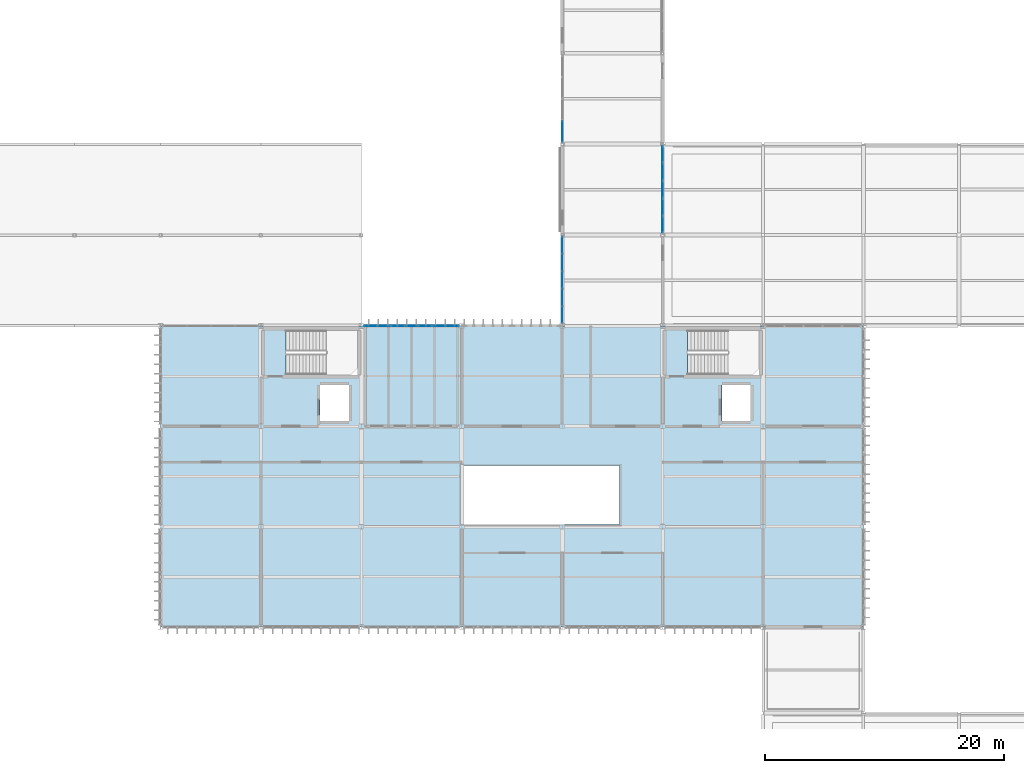
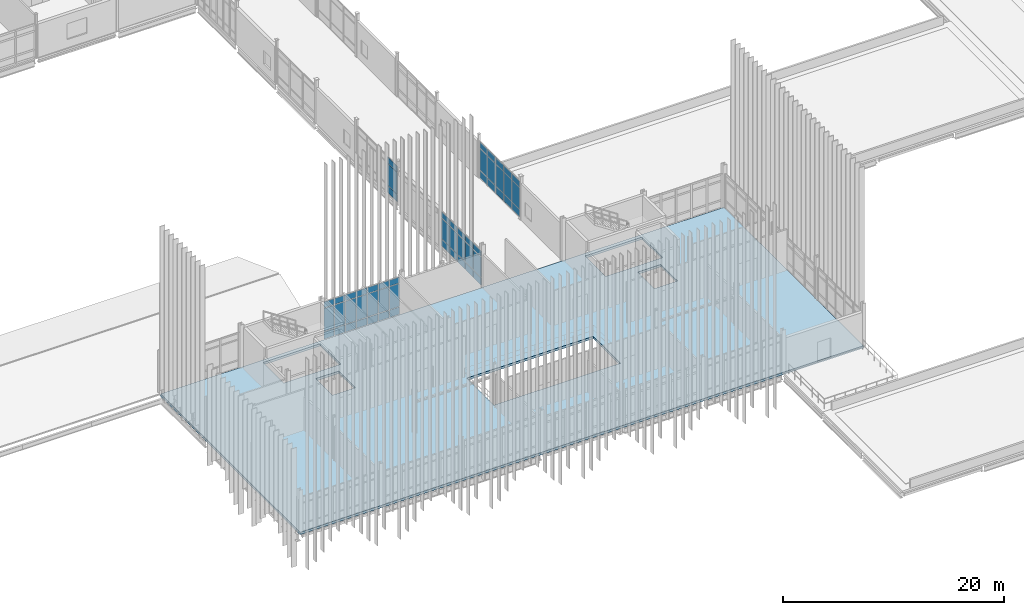
# One storey, part 98 of 153: 54 plates, 1 slab, 4 elements without a shape of their own.
"""IFC4 building model written with IfcOpenShell, lengths in metres."""

from ifc_helpers import new_model, si_unit, direction, frame, origin, origin_2d, place, context, subcontext, project, spatial, polyline, rectangle, outline, extrude, material, layer, layer_set, type_object, element, aggregate, save


model = new_model("IFC4")

# Units and contexts
model_context = context("Model", 3, precision=1e-05, world=origin(), true_north=direction((0.0, 1.0)))
body_context = subcontext(model_context, "Body", "Model", "MODEL_VIEW")
ifc_project = project(units=[si_unit("LENGTHUNIT", "METRE"), si_unit("AREAUNIT", "SQUARE_METRE"), si_unit("VOLUMEUNIT", "CUBIC_METRE"), si_unit("PLANEANGLEUNIT", "RADIAN"), si_unit("MASSUNIT", "GRAM", prefix="KILO")], contexts=[model_context])

# Site, building, storey
site_placement = place(None, origin())
site = spatial("IfcSite", under=ifc_project, at=site_placement, CompositionType="ELEMENT")
building_placement = place(site_placement, origin())
building = spatial("IfcBuilding", under=site, at=building_placement, Name="Calvrana Isthmian Art Gallery", CompositionType="ELEMENT")
storey_placement = place(building_placement, frame((0.0, 0.0, 10.199951171875)))
storey = spatial("IfcBuildingStorey", under=building, at=storey_placement, Name="L02", CompositionType="ELEMENT", Elevation=10.199951171875)

# Curtain wall, plates
ifc_material_1 = material(Name="Anodized bronze aluminium 6063-T6", Category="aluminium")
ifc_layer_1 = layer(ifc_material_1, 0.179931640625, Name="Anodized bronze aluminium 6063-T6")
ifc_layer_set_1 = layer_set([ifc_layer_1], Name="Anodized bronze aluminium 6063-T6")
curtain_wall_type_1 = type_object("IfcCurtainWallType", Name="CW-UNIT-073X41", PredefinedType="USERDEFINED", material=ifc_layer_set_1)
curtain_wall_1_placement = place(storey_placement, origin())
curtain_wall_1 = element("IfcCurtainWall", 1, at=curtain_wall_1_placement, inside=storey, type_object=curtain_wall_type_1, Name="Curtain wall CW-170", ObjectType="UNITISED CURTAIN WALL", PredefinedType="USERDEFINED")
ifc_material_2 = material(Name="Polychrome glazed terracotta", Category="masonry")
ifc_layer_2 = layer(ifc_material_2, 0.033935546875, Name="Polychrome glazed terracotta")
ifc_layer_set_2 = layer_set([ifc_layer_2], Name="Polychrome glazed terracotta")
plate_type_1 = type_object("IfcPlateType", Name="CWP-SPANDREL-34", PredefinedType="CURTAIN_PANEL", material=ifc_layer_set_2)
plate_1_placement = place(storey_placement, frame((55.199951171875, 63.058349609375, 0.06005859375), z_axis=(0.0, 0.0, 1.0), x_axis=(0.0, 1.0, 0.0)))
plate_1 = element("IfcPlate", 2, at=plate_1_placement, type_object=plate_type_1, Name="CW-170 panel 1.1", PredefinedType="CURTAIN_PANEL", context=body_context, shape_type="SweptSolid", body=[
    extrude(rectangle(XDim=1.732666015625, YDim=0.033935546875, at=origin_2d()), origin(), (0.0, 0.0, 1.0), 0.81005859375),
])
plate_2_placement = place(storey_placement, frame((55.199951171875, 63.058349609375, 0.93017578125), z_axis=(0.0, 0.0, 1.0), x_axis=(0.0, 1.0, 0.0)))
plate_2 = element("IfcPlate", 3, at=plate_2_placement, type_object=plate_type_1, Name="CW-170 panel 1.2", PredefinedType="CURTAIN_PANEL", context=body_context, shape_type="SweptSolid", body=[
    extrude(rectangle(XDim=1.732666015625, YDim=0.033935546875, at=origin_2d()), origin(), (0.0, 0.0, 1.0), 2.367919921875),
])
plate_3_placement = place(storey_placement, frame((55.199951171875, 63.058349609375, 3.35791015625), z_axis=(0.0, 0.0, 1.0), x_axis=(0.0, 1.0, 0.0)))
plate_3 = element("IfcPlate", 4, at=plate_3_placement, type_object=plate_type_1, Name="CW-170 panel 1.3", PredefinedType="CURTAIN_PANEL", context=body_context, shape_type="SweptSolid", body=[
    extrude(rectangle(XDim=1.732666015625, YDim=0.033935546875, at=origin_2d()), origin(), (0.0, 0.0, 1.0), 0.659912109375),
])
aggregate(curtain_wall_1, [plate_1, plate_2, plate_3])

ifc_layer_3 = layer(ifc_material_1, 0.179931640625, Name="Anodized bronze aluminium 6063-T6")
ifc_layer_set_3 = layer_set([ifc_layer_3], Name="Anodized bronze aluminium 6063-T6")
curtain_wall_type_2 = type_object("IfcCurtainWallType", Name="CW-UNIT-080X42", PredefinedType="USERDEFINED", material=ifc_layer_set_3)
curtain_wall_2_placement = place(storey_placement, origin())
curtain_wall_2 = element("IfcCurtainWall", 5, at=curtain_wall_2_placement, inside=storey, type_object=curtain_wall_type_2, Name="Curtain wall CW-152", ObjectType="UNITISED CURTAIN WALL", PredefinedType="USERDEFINED")
ifc_material_3 = material(Name="Low-E laminated solar glass", Category="glass")
ifc_layer_4 = layer(ifc_material_3, 0.028076171875, Name="Low-E laminated solar glass")
ifc_layer_set_4 = layer_set([ifc_layer_4], Name="Low-E laminated solar glass")
plate_type_2 = type_object("IfcPlateType", Name="CWP-VISION-28", PredefinedType="CURTAIN_PANEL", material=ifc_layer_set_4)
plate_4_placement = place(storey_placement, frame((39.17529296875, 46.800048828125, 0.06494140625), z_axis=(0.0, 0.0, 1.0), x_axis=(1.0, 0.0, 0.0)))
plate_4 = element("IfcPlate", 6, at=plate_4_placement, type_object=plate_type_2, Name="CW-152 panel 1.1", PredefinedType="CURTAIN_PANEL", context=body_context, shape_type="SweptSolid", body=[
    extrude(rectangle(XDim=1.04736328125, YDim=0.028076171875, at=origin_2d()), origin(), (0.0, 0.0, 1.0), 0.802490234375),
])
plate_5_placement = place(storey_placement, frame((39.17529296875, 46.800048828125, 0.9326171875), z_axis=(0.0, 0.0, 1.0), x_axis=(1.0, 0.0, 0.0)))
plate_5 = element("IfcPlate", 7, at=plate_5_placement, type_object=plate_type_2, Name="CW-152 panel 1.2", PredefinedType="CURTAIN_PANEL", context=body_context, shape_type="SweptSolid", body=[
    extrude(rectangle(XDim=1.04736328125, YDim=0.028076171875, at=origin_2d()), origin(), (0.0, 0.0, 1.0), 2.520263671875),
])
plate_6_placement = place(storey_placement, frame((39.17529296875, 46.800048828125, 3.517578125), z_axis=(0.0, 0.0, 1.0), x_axis=(1.0, 0.0, 0.0)))
plate_6 = element("IfcPlate", 8, at=plate_6_placement, type_object=plate_type_2, Name="CW-152 panel 1.3", PredefinedType="CURTAIN_PANEL", context=body_context, shape_type="SweptSolid", body=[
    extrude(rectangle(XDim=1.04736328125, YDim=0.028076171875, at=origin_2d()), origin(), (0.0, 0.0, 1.0), 0.652587890625),
])
plate_7_placement = place(storey_placement, frame((40.3037109375, 46.800048828125, 0.06494140625), z_axis=(0.0, 0.0, 1.0), x_axis=(1.0, 0.0, 0.0)))
plate_7 = element("IfcPlate", 9, at=plate_7_placement, type_object=plate_type_2, Name="CW-152 panel 2.1", PredefinedType="CURTAIN_PANEL", context=body_context, shape_type="SweptSolid", body=[
    extrude(rectangle(XDim=1.079833984375, YDim=0.028076171875, at=origin_2d()), origin(), (0.0, 0.0, 1.0), 0.802490234375),
])
plate_8_placement = place(storey_placement, frame((40.3037109375, 46.800048828125, 0.9326171875), z_axis=(0.0, 0.0, 1.0), x_axis=(1.0, 0.0, 0.0)))
plate_8 = element("IfcPlate", 10, at=plate_8_placement, type_object=plate_type_2, Name="CW-152 panel 2.2", PredefinedType="CURTAIN_PANEL", context=body_context, shape_type="SweptSolid", body=[
    extrude(rectangle(XDim=1.079833984375, YDim=0.028076171875, at=origin_2d()), origin(), (0.0, 0.0, 1.0), 2.520263671875),
])
plate_9_placement = place(storey_placement, frame((40.3037109375, 46.800048828125, 3.517578125), z_axis=(0.0, 0.0, 1.0), x_axis=(1.0, 0.0, 0.0)))
plate_9 = element("IfcPlate", 11, at=plate_9_placement, type_object=plate_type_2, Name="CW-152 panel 2.3", PredefinedType="CURTAIN_PANEL", context=body_context, shape_type="SweptSolid", body=[
    extrude(rectangle(XDim=1.079833984375, YDim=0.028076171875, at=origin_2d()), origin(), (0.0, 0.0, 1.0), 0.652587890625),
])
plate_10_placement = place(storey_placement, frame((41.44873046875, 46.800048828125, 0.06494140625), z_axis=(0.0, 0.0, 1.0), x_axis=(1.0, 0.0, 0.0)))
plate_10 = element("IfcPlate", 12, at=plate_10_placement, type_object=plate_type_2, Name="CW-152 panel 3.1", PredefinedType="CURTAIN_PANEL", context=body_context, shape_type="SweptSolid", body=[
    extrude(rectangle(XDim=1.079833984375, YDim=0.028076171875, at=origin_2d()), origin(), (0.0, 0.0, 1.0), 0.802490234375),
])
plate_11_placement = place(storey_placement, frame((41.44873046875, 46.800048828125, 0.9326171875), z_axis=(0.0, 0.0, 1.0), x_axis=(1.0, 0.0, 0.0)))
plate_11 = element("IfcPlate", 13, at=plate_11_placement, type_object=plate_type_2, Name="CW-152 panel 3.2", PredefinedType="CURTAIN_PANEL", context=body_context, shape_type="SweptSolid", body=[
    extrude(rectangle(XDim=1.079833984375, YDim=0.028076171875, at=origin_2d()), origin(), (0.0, 0.0, 1.0), 2.520263671875),
])
plate_12_placement = place(storey_placement, frame((41.44873046875, 46.800048828125, 3.517578125), z_axis=(0.0, 0.0, 1.0), x_axis=(1.0, 0.0, 0.0)))
plate_12 = element("IfcPlate", 14, at=plate_12_placement, type_object=plate_type_2, Name="CW-152 panel 3.3", PredefinedType="CURTAIN_PANEL", context=body_context, shape_type="SweptSolid", body=[
    extrude(rectangle(XDim=1.079833984375, YDim=0.028076171875, at=origin_2d()), origin(), (0.0, 0.0, 1.0), 0.652587890625),
])
plate_13_placement = place(storey_placement, frame((42.593505859375, 46.800048828125, 0.06494140625), z_axis=(0.0, 0.0, 1.0), x_axis=(1.0, 0.0, 0.0)))
plate_13 = element("IfcPlate", 15, at=plate_13_placement, type_object=plate_type_2, Name="CW-152 panel 4.1", PredefinedType="CURTAIN_PANEL", context=body_context, shape_type="SweptSolid", body=[
    extrude(rectangle(XDim=1.079833984375, YDim=0.028076171875, at=origin_2d()), origin(), (0.0, 0.0, 1.0), 0.802490234375),
])
plate_14_placement = place(storey_placement, frame((42.593505859375, 46.800048828125, 0.9326171875), z_axis=(0.0, 0.0, 1.0), x_axis=(1.0, 0.0, 0.0)))
plate_14 = element("IfcPlate", 16, at=plate_14_placement, type_object=plate_type_2, Name="CW-152 panel 4.2", PredefinedType="CURTAIN_PANEL", context=body_context, shape_type="SweptSolid", body=[
    extrude(rectangle(XDim=1.079833984375, YDim=0.028076171875, at=origin_2d()), origin(), (0.0, 0.0, 1.0), 2.520263671875),
])
plate_15_placement = place(storey_placement, frame((42.593505859375, 46.800048828125, 3.517578125), z_axis=(0.0, 0.0, 1.0), x_axis=(1.0, 0.0, 0.0)))
plate_15 = element("IfcPlate", 17, at=plate_15_placement, type_object=plate_type_2, Name="CW-152 panel 4.3", PredefinedType="CURTAIN_PANEL", context=body_context, shape_type="SweptSolid", body=[
    extrude(rectangle(XDim=1.079833984375, YDim=0.028076171875, at=origin_2d()), origin(), (0.0, 0.0, 1.0), 0.652587890625),
])
plate_16_placement = place(storey_placement, frame((43.73828125, 46.800048828125, 0.06494140625), z_axis=(0.0, 0.0, 1.0), x_axis=(1.0, 0.0, 0.0)))
plate_16 = element("IfcPlate", 18, at=plate_16_placement, type_object=plate_type_2, Name="CW-152 panel 5.1", PredefinedType="CURTAIN_PANEL", context=body_context, shape_type="SweptSolid", body=[
    extrude(rectangle(XDim=1.079833984375, YDim=0.028076171875, at=origin_2d()), origin(), (0.0, 0.0, 1.0), 0.802490234375),
])
plate_17_placement = place(storey_placement, frame((43.73828125, 46.800048828125, 0.9326171875), z_axis=(0.0, 0.0, 1.0), x_axis=(1.0, 0.0, 0.0)))
plate_17 = element("IfcPlate", 19, at=plate_17_placement, type_object=plate_type_2, Name="CW-152 panel 5.2", PredefinedType="CURTAIN_PANEL", context=body_context, shape_type="SweptSolid", body=[
    extrude(rectangle(XDim=1.079833984375, YDim=0.028076171875, at=origin_2d()), origin(), (0.0, 0.0, 1.0), 2.520263671875),
])
plate_18_placement = place(storey_placement, frame((43.73828125, 46.800048828125, 3.517578125), z_axis=(0.0, 0.0, 1.0), x_axis=(1.0, 0.0, 0.0)))
plate_18 = element("IfcPlate", 20, at=plate_18_placement, type_object=plate_type_2, Name="CW-152 panel 5.3", PredefinedType="CURTAIN_PANEL", context=body_context, shape_type="SweptSolid", body=[
    extrude(rectangle(XDim=1.079833984375, YDim=0.028076171875, at=origin_2d()), origin(), (0.0, 0.0, 1.0), 0.652587890625),
])
plate_19_placement = place(storey_placement, frame((44.88330078125, 46.800048828125, 0.06494140625), z_axis=(0.0, 0.0, 1.0), x_axis=(1.0, 0.0, 0.0)))
plate_19 = element("IfcPlate", 21, at=plate_19_placement, type_object=plate_type_2, Name="CW-152 panel 6.1", PredefinedType="CURTAIN_PANEL", context=body_context, shape_type="SweptSolid", body=[
    extrude(rectangle(XDim=1.079833984375, YDim=0.028076171875, at=origin_2d()), origin(), (0.0, 0.0, 1.0), 0.802490234375),
])
plate_20_placement = place(storey_placement, frame((44.88330078125, 46.800048828125, 0.9326171875), z_axis=(0.0, 0.0, 1.0), x_axis=(1.0, 0.0, 0.0)))
plate_20 = element("IfcPlate", 22, at=plate_20_placement, type_object=plate_type_2, Name="CW-152 panel 6.2", PredefinedType="CURTAIN_PANEL", context=body_context, shape_type="SweptSolid", body=[
    extrude(rectangle(XDim=1.079833984375, YDim=0.028076171875, at=origin_2d()), origin(), (0.0, 0.0, 1.0), 2.520263671875),
])
plate_21_placement = place(storey_placement, frame((44.88330078125, 46.800048828125, 3.517578125), z_axis=(0.0, 0.0, 1.0), x_axis=(1.0, 0.0, 0.0)))
plate_21 = element("IfcPlate", 23, at=plate_21_placement, type_object=plate_type_2, Name="CW-152 panel 6.3", PredefinedType="CURTAIN_PANEL", context=body_context, shape_type="SweptSolid", body=[
    extrude(rectangle(XDim=1.079833984375, YDim=0.028076171875, at=origin_2d()), origin(), (0.0, 0.0, 1.0), 0.652587890625),
])
plate_22_placement = place(storey_placement, frame((46.01171875, 46.800048828125, 0.06494140625), z_axis=(0.0, 0.0, 1.0), x_axis=(1.0, 0.0, 0.0)))
plate_22 = element("IfcPlate", 24, at=plate_22_placement, type_object=plate_type_2, Name="CW-152 panel 7.1", PredefinedType="CURTAIN_PANEL", context=body_context, shape_type="SweptSolid", body=[
    extrude(rectangle(XDim=1.04736328125, YDim=0.028076171875, at=origin_2d()), origin(), (0.0, 0.0, 1.0), 0.802490234375),
])
plate_23_placement = place(storey_placement, frame((46.01171875, 46.800048828125, 0.9326171875), z_axis=(0.0, 0.0, 1.0), x_axis=(1.0, 0.0, 0.0)))
plate_23 = element("IfcPlate", 25, at=plate_23_placement, type_object=plate_type_2, Name="CW-152 panel 7.2", PredefinedType="CURTAIN_PANEL", context=body_context, shape_type="SweptSolid", body=[
    extrude(rectangle(XDim=1.04736328125, YDim=0.028076171875, at=origin_2d()), origin(), (0.0, 0.0, 1.0), 2.520263671875),
])
plate_24_placement = place(storey_placement, frame((46.01171875, 46.800048828125, 3.517578125), z_axis=(0.0, 0.0, 1.0), x_axis=(1.0, 0.0, 0.0)))
plate_24 = element("IfcPlate", 26, at=plate_24_placement, type_object=plate_type_2, Name="CW-152 panel 7.3", PredefinedType="CURTAIN_PANEL", context=body_context, shape_type="SweptSolid", body=[
    extrude(rectangle(XDim=1.04736328125, YDim=0.028076171875, at=origin_2d()), origin(), (0.0, 0.0, 1.0), 0.652587890625),
])
aggregate(curtain_wall_2, [plate_4, plate_5, plate_6, plate_7, plate_8, plate_9, plate_10, plate_11, plate_12, plate_13, plate_14, plate_15, plate_16, plate_17, plate_18, plate_19, plate_20, plate_21, plate_22, plate_23, plate_24])

ifc_layer_5 = layer(ifc_material_1, 0.179931640625, Name="Anodized bronze aluminium 6063-T6")
ifc_layer_set_5 = layer_set([ifc_layer_5], Name="Anodized bronze aluminium 6063-T6")
curtain_wall_type_3 = type_object("IfcCurtainWallType", Name="CW-UNIT-073X39", PredefinedType="USERDEFINED", material=ifc_layer_set_5)
curtain_wall_3_placement = place(storey_placement, origin())
curtain_wall_3 = element("IfcCurtainWall", 27, at=curtain_wall_3_placement, inside=storey, type_object=curtain_wall_type_3, Name="Curtain wall CW-169", ObjectType="UNITISED CURTAIN WALL", PredefinedType="USERDEFINED")
plate_25_placement = place(storey_placement, frame((55.199951171875, 47.736328125, 0.074951171875), z_axis=(0.0, 0.0, 1.0), x_axis=(0.0, 1.0, 0.0)))
plate_25 = element("IfcPlate", 28, at=plate_25_placement, type_object=plate_type_2, Name="CW-169 panel 1.1", PredefinedType="CURTAIN_PANEL", context=body_context, shape_type="SweptSolid", body=[
    extrude(rectangle(XDim=1.37158203125, YDim=0.028076171875, at=origin_2d()), origin(), (0.0, 0.0, 1.0), 0.78759765625),
])
plate_26_placement = place(storey_placement, frame((55.199951171875, 47.736328125, 0.9375), z_axis=(0.0, 0.0, 1.0), x_axis=(0.0, 1.0, 0.0)))
plate_26 = element("IfcPlate", 29, at=plate_26_placement, type_object=plate_type_2, Name="CW-169 panel 1.2", PredefinedType="CURTAIN_PANEL", context=body_context, shape_type="SweptSolid", body=[
    extrude(rectangle(XDim=1.37158203125, YDim=0.028076171875, at=origin_2d()), origin(), (0.0, 0.0, 1.0), 2.2080078125),
])
plate_27_placement = place(storey_placement, frame((55.199951171875, 47.736328125, 3.220703125), z_axis=(0.0, 0.0, 1.0), x_axis=(0.0, 1.0, 0.0)))
plate_27 = element("IfcPlate", 30, at=plate_27_placement, type_object=plate_type_2, Name="CW-169 panel 1.3", PredefinedType="CURTAIN_PANEL", context=body_context, shape_type="SweptSolid", body=[
    extrude(rectangle(XDim=1.37158203125, YDim=0.028076171875, at=origin_2d()), origin(), (0.0, 0.0, 1.0), 0.637451171875),
])
plate_28_placement = place(storey_placement, frame((55.199951171875, 49.182861328125, 0.074951171875), z_axis=(0.0, 0.0, 1.0), x_axis=(0.0, 1.0, 0.0)))
plate_28 = element("IfcPlate", 31, at=plate_28_placement, type_object=plate_type_2, Name="CW-169 panel 2.1", PredefinedType="CURTAIN_PANEL", context=body_context, shape_type="SweptSolid", body=[
    extrude(rectangle(XDim=1.401611328125, YDim=0.028076171875, at=origin_2d()), origin(), (0.0, 0.0, 1.0), 0.78759765625),
])
plate_29_placement = place(storey_placement, frame((55.199951171875, 49.182861328125, 0.9375), z_axis=(0.0, 0.0, 1.0), x_axis=(0.0, 1.0, 0.0)))
plate_29 = element("IfcPlate", 32, at=plate_29_placement, type_object=plate_type_2, Name="CW-169 panel 2.2", PredefinedType="CURTAIN_PANEL", context=body_context, shape_type="SweptSolid", body=[
    extrude(rectangle(XDim=1.401611328125, YDim=0.028076171875, at=origin_2d()), origin(), (0.0, 0.0, 1.0), 2.2080078125),
])
plate_30_placement = place(storey_placement, frame((55.199951171875, 49.182861328125, 3.220703125), z_axis=(0.0, 0.0, 1.0), x_axis=(0.0, 1.0, 0.0)))
plate_30 = element("IfcPlate", 33, at=plate_30_placement, type_object=plate_type_2, Name="CW-169 panel 2.3", PredefinedType="CURTAIN_PANEL", context=body_context, shape_type="SweptSolid", body=[
    extrude(rectangle(XDim=1.401611328125, YDim=0.028076171875, at=origin_2d()), origin(), (0.0, 0.0, 1.0), 0.637451171875),
])
plate_31_placement = place(storey_placement, frame((55.199951171875, 50.64453125, 0.074951171875), z_axis=(0.0, 0.0, 1.0), x_axis=(0.0, 1.0, 0.0)))
plate_31 = element("IfcPlate", 34, at=plate_31_placement, type_object=plate_type_2, Name="CW-169 panel 3.1", PredefinedType="CURTAIN_PANEL", context=body_context, shape_type="SweptSolid", body=[
    extrude(rectangle(XDim=1.401611328125, YDim=0.028076171875, at=origin_2d()), origin(), (0.0, 0.0, 1.0), 0.78759765625),
])
plate_32_placement = place(storey_placement, frame((55.199951171875, 50.64453125, 0.9375), z_axis=(0.0, 0.0, 1.0), x_axis=(0.0, 1.0, 0.0)))
plate_32 = element("IfcPlate", 35, at=plate_32_placement, type_object=plate_type_2, Name="CW-169 panel 3.2", PredefinedType="CURTAIN_PANEL", context=body_context, shape_type="SweptSolid", body=[
    extrude(rectangle(XDim=1.401611328125, YDim=0.028076171875, at=origin_2d()), origin(), (0.0, 0.0, 1.0), 2.2080078125),
])
plate_33_placement = place(storey_placement, frame((55.199951171875, 50.64453125, 3.220703125), z_axis=(0.0, 0.0, 1.0), x_axis=(0.0, 1.0, 0.0)))
plate_33 = element("IfcPlate", 36, at=plate_33_placement, type_object=plate_type_2, Name="CW-169 panel 3.3", PredefinedType="CURTAIN_PANEL", context=body_context, shape_type="SweptSolid", body=[
    extrude(rectangle(XDim=1.401611328125, YDim=0.028076171875, at=origin_2d()), origin(), (0.0, 0.0, 1.0), 0.637451171875),
])
plate_34_placement = place(storey_placement, frame((55.199951171875, 52.10595703125, 0.074951171875), z_axis=(0.0, 0.0, 1.0), x_axis=(0.0, 1.0, 0.0)))
plate_34 = element("IfcPlate", 37, at=plate_34_placement, type_object=plate_type_2, Name="CW-169 panel 4.1", PredefinedType="CURTAIN_PANEL", context=body_context, shape_type="SweptSolid", body=[
    extrude(rectangle(XDim=1.401611328125, YDim=0.028076171875, at=origin_2d()), origin(), (0.0, 0.0, 1.0), 0.78759765625),
])
plate_35_placement = place(storey_placement, frame((55.199951171875, 52.10595703125, 0.9375), z_axis=(0.0, 0.0, 1.0), x_axis=(0.0, 1.0, 0.0)))
plate_35 = element("IfcPlate", 38, at=plate_35_placement, type_object=plate_type_2, Name="CW-169 panel 4.2", PredefinedType="CURTAIN_PANEL", context=body_context, shape_type="SweptSolid", body=[
    extrude(rectangle(XDim=1.401611328125, YDim=0.028076171875, at=origin_2d()), origin(), (0.0, 0.0, 1.0), 2.2080078125),
])
plate_36_placement = place(storey_placement, frame((55.199951171875, 52.10595703125, 3.220703125), z_axis=(0.0, 0.0, 1.0), x_axis=(0.0, 1.0, 0.0)))
plate_36 = element("IfcPlate", 39, at=plate_36_placement, type_object=plate_type_2, Name="CW-169 panel 4.3", PredefinedType="CURTAIN_PANEL", context=body_context, shape_type="SweptSolid", body=[
    extrude(rectangle(XDim=1.401611328125, YDim=0.028076171875, at=origin_2d()), origin(), (0.0, 0.0, 1.0), 0.637451171875),
])
plate_37_placement = place(storey_placement, frame((55.199951171875, 53.552490234375, 0.074951171875), z_axis=(0.0, 0.0, 1.0), x_axis=(0.0, 1.0, 0.0)))
plate_37 = element("IfcPlate", 40, at=plate_37_placement, type_object=plate_type_2, Name="CW-169 panel 5.1", PredefinedType="CURTAIN_PANEL", context=body_context, shape_type="SweptSolid", body=[
    extrude(rectangle(XDim=1.37158203125, YDim=0.028076171875, at=origin_2d()), origin(), (0.0, 0.0, 1.0), 0.78759765625),
])
plate_38_placement = place(storey_placement, frame((55.199951171875, 53.552490234375, 0.9375), z_axis=(0.0, 0.0, 1.0), x_axis=(0.0, 1.0, 0.0)))
plate_38 = element("IfcPlate", 41, at=plate_38_placement, type_object=plate_type_2, Name="CW-169 panel 5.2", PredefinedType="CURTAIN_PANEL", context=body_context, shape_type="SweptSolid", body=[
    extrude(rectangle(XDim=1.37158203125, YDim=0.028076171875, at=origin_2d()), origin(), (0.0, 0.0, 1.0), 2.2080078125),
])
plate_39_placement = place(storey_placement, frame((55.199951171875, 53.552490234375, 3.220703125), z_axis=(0.0, 0.0, 1.0), x_axis=(0.0, 1.0, 0.0)))
plate_39 = element("IfcPlate", 42, at=plate_39_placement, type_object=plate_type_2, Name="CW-169 panel 5.3", PredefinedType="CURTAIN_PANEL", context=body_context, shape_type="SweptSolid", body=[
    extrude(rectangle(XDim=1.37158203125, YDim=0.028076171875, at=origin_2d()), origin(), (0.0, 0.0, 1.0), 0.637451171875),
])
aggregate(curtain_wall_3, [plate_25, plate_26, plate_27, plate_28, plate_29, plate_30, plate_31, plate_32, plate_33, plate_34, plate_35, plate_36, plate_37, plate_38, plate_39])

curtain_wall_4_placement = place(storey_placement, origin())
curtain_wall_4 = element("IfcCurtainWall", 43, at=curtain_wall_4_placement, inside=storey, type_object=curtain_wall_type_1, Name="Curtain wall CW-173", ObjectType="UNITISED CURTAIN WALL", PredefinedType="USERDEFINED")
plate_40_placement = place(storey_placement, frame((63.60009765625, 61.143798828125, 0.070068359375), z_axis=(0.0, 0.0, 1.0), x_axis=(0.0, -1.0, 0.0)))
plate_40 = element("IfcPlate", 44, at=plate_40_placement, type_object=plate_type_2, Name="CW-173 panel 1.1", PredefinedType="CURTAIN_PANEL", context=body_context, shape_type="SweptSolid", body=[
    extrude(rectangle(XDim=1.34912109375, YDim=0.028076171875, at=origin_2d()), origin(), (0.0, 0.0, 1.0), 0.794921875),
])
plate_41_placement = place(storey_placement, frame((63.60009765625, 61.143798828125, 0.93505859375), z_axis=(0.0, 0.0, 1.0), x_axis=(0.0, -1.0, 0.0)))
plate_41 = element("IfcPlate", 45, at=plate_41_placement, type_object=plate_type_2, Name="CW-173 panel 1.2", PredefinedType="CURTAIN_PANEL", context=body_context, shape_type="SweptSolid", body=[
    extrude(rectangle(XDim=1.34912109375, YDim=0.028076171875, at=origin_2d()), origin(), (0.0, 0.0, 1.0), 2.35791015625),
])
plate_42_placement = place(storey_placement, frame((63.60009765625, 61.143798828125, 3.363037109375), z_axis=(0.0, 0.0, 1.0), x_axis=(0.0, -1.0, 0.0)))
plate_42 = element("IfcPlate", 46, at=plate_42_placement, type_object=plate_type_2, Name="CW-173 panel 1.3", PredefinedType="CURTAIN_PANEL", context=body_context, shape_type="SweptSolid", body=[
    extrude(rectangle(XDim=1.34912109375, YDim=0.028076171875, at=origin_2d()), origin(), (0.0, 0.0, 1.0), 0.64501953125),
])
plate_43_placement = place(storey_placement, frame((63.60009765625, 59.694580078125, 0.070068359375), z_axis=(0.0, 0.0, 1.0), x_axis=(0.0, -1.0, 0.0)))
plate_43 = element("IfcPlate", 47, at=plate_43_placement, type_object=plate_type_2, Name="CW-173 panel 2.1", PredefinedType="CURTAIN_PANEL", context=body_context, shape_type="SweptSolid", body=[
    extrude(rectangle(XDim=1.38916015625, YDim=0.028076171875, at=origin_2d()), origin(), (0.0, 0.0, 1.0), 0.794921875),
])
plate_44_placement = place(storey_placement, frame((63.60009765625, 59.694580078125, 0.93505859375), z_axis=(0.0, 0.0, 1.0), x_axis=(0.0, -1.0, 0.0)))
plate_44 = element("IfcPlate", 48, at=plate_44_placement, type_object=plate_type_2, Name="CW-173 panel 2.2", PredefinedType="CURTAIN_PANEL", context=body_context, shape_type="SweptSolid", body=[
    extrude(rectangle(XDim=1.38916015625, YDim=0.028076171875, at=origin_2d()), origin(), (0.0, 0.0, 1.0), 2.35791015625),
])
plate_45_placement = place(storey_placement, frame((63.60009765625, 59.694580078125, 3.363037109375), z_axis=(0.0, 0.0, 1.0), x_axis=(0.0, -1.0, 0.0)))
plate_45 = element("IfcPlate", 49, at=plate_45_placement, type_object=plate_type_2, Name="CW-173 panel 2.3", PredefinedType="CURTAIN_PANEL", context=body_context, shape_type="SweptSolid", body=[
    extrude(rectangle(XDim=1.38916015625, YDim=0.028076171875, at=origin_2d()), origin(), (0.0, 0.0, 1.0), 0.64501953125),
])
plate_46_placement = place(storey_placement, frame((63.60009765625, 58.225341796875, 0.070068359375), z_axis=(0.0, 0.0, 1.0), x_axis=(0.0, -1.0, 0.0)))
plate_46 = element("IfcPlate", 50, at=plate_46_placement, type_object=plate_type_2, Name="CW-173 panel 3.1", PredefinedType="CURTAIN_PANEL", context=body_context, shape_type="SweptSolid", body=[
    extrude(rectangle(XDim=1.38916015625, YDim=0.028076171875, at=origin_2d()), origin(), (0.0, 0.0, 1.0), 0.794921875),
])
plate_47_placement = place(storey_placement, frame((63.60009765625, 58.225341796875, 0.93505859375), z_axis=(0.0, 0.0, 1.0), x_axis=(0.0, -1.0, 0.0)))
plate_47 = element("IfcPlate", 51, at=plate_47_placement, type_object=plate_type_2, Name="CW-173 panel 3.2", PredefinedType="CURTAIN_PANEL", context=body_context, shape_type="SweptSolid", body=[
    extrude(rectangle(XDim=1.38916015625, YDim=0.028076171875, at=origin_2d()), origin(), (0.0, 0.0, 1.0), 2.35791015625),
])
plate_48_placement = place(storey_placement, frame((63.60009765625, 58.225341796875, 3.363037109375), z_axis=(0.0, 0.0, 1.0), x_axis=(0.0, -1.0, 0.0)))
plate_48 = element("IfcPlate", 52, at=plate_48_placement, type_object=plate_type_2, Name="CW-173 panel 3.3", PredefinedType="CURTAIN_PANEL", context=body_context, shape_type="SweptSolid", body=[
    extrude(rectangle(XDim=1.38916015625, YDim=0.028076171875, at=origin_2d()), origin(), (0.0, 0.0, 1.0), 0.64501953125),
])
plate_49_placement = place(storey_placement, frame((63.60009765625, 56.756103515625, 0.070068359375), z_axis=(0.0, 0.0, 1.0), x_axis=(0.0, -1.0, 0.0)))
plate_49 = element("IfcPlate", 53, at=plate_49_placement, type_object=plate_type_2, Name="CW-173 panel 4.1", PredefinedType="CURTAIN_PANEL", context=body_context, shape_type="SweptSolid", body=[
    extrude(rectangle(XDim=1.38916015625, YDim=0.028076171875, at=origin_2d()), origin(), (0.0, 0.0, 1.0), 0.794921875),
])
plate_50_placement = place(storey_placement, frame((63.60009765625, 56.756103515625, 0.93505859375), z_axis=(0.0, 0.0, 1.0), x_axis=(0.0, -1.0, 0.0)))
plate_50 = element("IfcPlate", 54, at=plate_50_placement, type_object=plate_type_2, Name="CW-173 panel 4.2", PredefinedType="CURTAIN_PANEL", context=body_context, shape_type="SweptSolid", body=[
    extrude(rectangle(XDim=1.38916015625, YDim=0.028076171875, at=origin_2d()), origin(), (0.0, 0.0, 1.0), 2.35791015625),
])
plate_51_placement = place(storey_placement, frame((63.60009765625, 56.756103515625, 3.363037109375), z_axis=(0.0, 0.0, 1.0), x_axis=(0.0, -1.0, 0.0)))
plate_51 = element("IfcPlate", 55, at=plate_51_placement, type_object=plate_type_2, Name="CW-173 panel 4.3", PredefinedType="CURTAIN_PANEL", context=body_context, shape_type="SweptSolid", body=[
    extrude(rectangle(XDim=1.38916015625, YDim=0.028076171875, at=origin_2d()), origin(), (0.0, 0.0, 1.0), 0.64501953125),
])
plate_52_placement = place(storey_placement, frame((63.60009765625, 55.306884765625, 0.070068359375), z_axis=(0.0, 0.0, 1.0), x_axis=(0.0, -1.0, 0.0)))
plate_52 = element("IfcPlate", 56, at=plate_52_placement, type_object=plate_type_2, Name="CW-173 panel 5.1", PredefinedType="CURTAIN_PANEL", context=body_context, shape_type="SweptSolid", body=[
    extrude(rectangle(XDim=1.34912109375, YDim=0.028076171875, at=origin_2d()), origin(), (0.0, 0.0, 1.0), 0.794921875),
])
plate_53_placement = place(storey_placement, frame((63.60009765625, 55.306884765625, 0.93505859375), z_axis=(0.0, 0.0, 1.0), x_axis=(0.0, -1.0, 0.0)))
plate_53 = element("IfcPlate", 57, at=plate_53_placement, type_object=plate_type_2, Name="CW-173 panel 5.2", PredefinedType="CURTAIN_PANEL", context=body_context, shape_type="SweptSolid", body=[
    extrude(rectangle(XDim=1.34912109375, YDim=0.028076171875, at=origin_2d()), origin(), (0.0, 0.0, 1.0), 2.35791015625),
])
plate_54_placement = place(storey_placement, frame((63.60009765625, 55.306884765625, 3.363037109375), z_axis=(0.0, 0.0, 1.0), x_axis=(0.0, -1.0, 0.0)))
plate_54 = element("IfcPlate", 58, at=plate_54_placement, type_object=plate_type_2, Name="CW-173 panel 5.3", PredefinedType="CURTAIN_PANEL", context=body_context, shape_type="SweptSolid", body=[
    extrude(rectangle(XDim=1.34912109375, YDim=0.028076171875, at=origin_2d()), origin(), (0.0, 0.0, 1.0), 0.64501953125),
])
aggregate(curtain_wall_4, [plate_40, plate_41, plate_42, plate_43, plate_44, plate_45, plate_46, plate_47, plate_48, plate_49, plate_50, plate_51, plate_52, plate_53, plate_54])

# Slab
ifc_material_4 = material(Name="Concrete C40/50", Category="concrete")
ifc_layer_6 = layer(ifc_material_4, 0.260009765625, Name="Concrete C40/50")
ifc_layer_set_6 = layer_set([ifc_layer_6], Name="Concrete C40/50")
slab_type = type_object("IfcSlabType", Name="SLB-GAL-260", PredefinedType="FLOOR", material=ifc_layer_set_6)
slab_placement = place(storey_placement, frame((0.0, 0.0, -0.260009765625)))
element("IfcSlab", 59, at=slab_placement, inside=storey, type_object=slab_type, Name="Floor slab V1_L02", PredefinedType="FLOOR", context=body_context, shape_type="SweptSolid", body=[
    extrude(outline(polyline([(21.60009765625, 21.60009765625), (80.39990234375, 21.60009765625), (80.39990234375, 46.800048828125), (21.60009765625, 46.800048828125), (21.60009765625, 21.60009765625)]), holes=[polyline([(32.10009765625, 42.7099609375), (38.06005859375, 42.7099609375), (38.06005859375, 46.429931640625), (32.10009765625, 46.429931640625), (32.10009765625, 42.7099609375)]), polyline([(34.949951171875, 38.85009765625), (37.35009765625, 38.85009765625), (37.35009765625, 41.85009765625), (34.949951171875, 41.85009765625), (34.949951171875, 38.85009765625)]), polyline([(65.699951171875, 42.7099609375), (71.659912109375, 42.7099609375), (71.659912109375, 46.429931640625), (65.699951171875, 46.429931640625), (65.699951171875, 42.7099609375)]), polyline([(68.550048828125, 38.85009765625), (70.949951171875, 38.85009765625), (70.949951171875, 41.85009765625), (68.550048828125, 41.85009765625), (68.550048828125, 38.85009765625)]), polyline([(46.800048828125, 30.199951171875), (60.0, 30.199951171875), (60.0, 35.10009765625), (46.800048828125, 35.10009765625), (46.800048828125, 30.199951171875)])]), origin(), (0.0, 0.0, 1.0), 0.260009765625),
])

save(model, "model.ifc")
